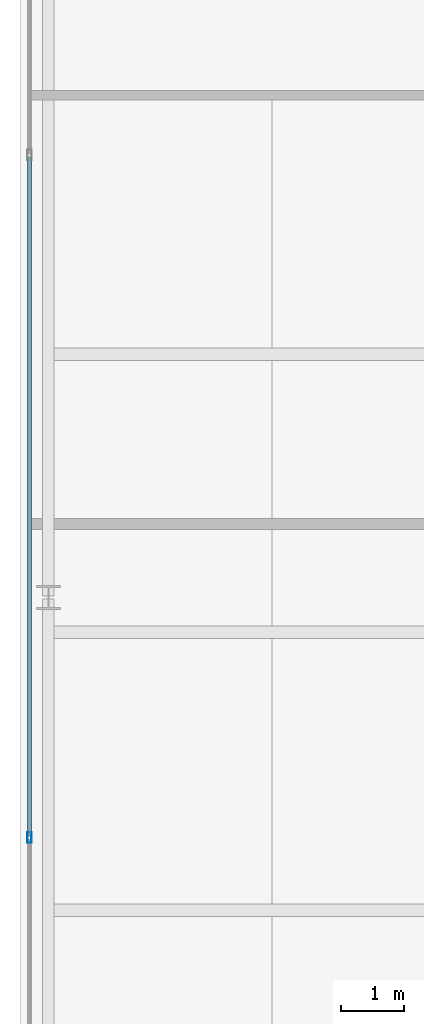
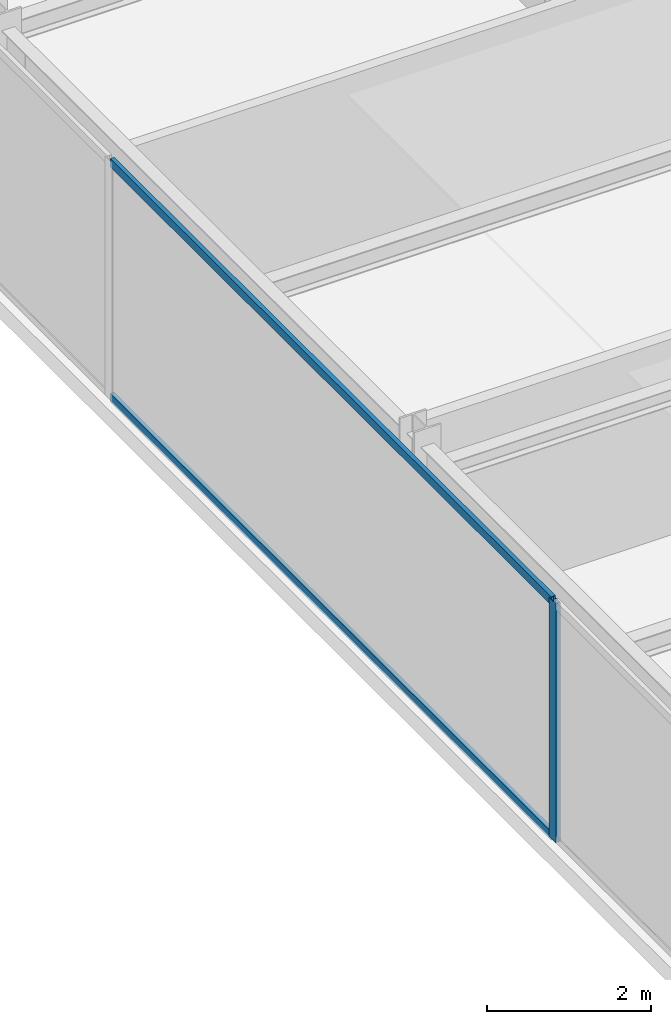
# One storey, part 10 of 31: 3 members, 1 element without a shape of its own.
"""IFC4 building model written with IfcOpenShell, lengths in metres."""

from ifc_helpers import new_model, si_unit, direction, frame, origin, origin_2d, place, context, subcontext, project, spatial, hollow_rectangle, extrude, source, transform, mapped, material, layer, layer_set, material_profile, profile_set, type_object, type_shapes, element, aggregate, save


model = new_model("IFC4")

# Units and contexts
model_context = context("Model", 3, precision=1e-05, world=origin(), true_north=direction((0.0, 1.0)))
body_context = subcontext(model_context, "Body", "Model", "MODEL_VIEW")
ifc_project = project(units=[si_unit("LENGTHUNIT", "METRE"), si_unit("AREAUNIT", "SQUARE_METRE"), si_unit("VOLUMEUNIT", "CUBIC_METRE"), si_unit("PLANEANGLEUNIT", "RADIAN"), si_unit("MASSUNIT", "GRAM", prefix="KILO")], contexts=[model_context])

# Site, building, storey
site_placement = place(None, origin())
site = spatial("IfcSite", under=ifc_project, at=site_placement, CompositionType="ELEMENT")
building_placement = place(site_placement, origin())
building = spatial("IfcBuilding", under=site, at=building_placement, Name="Varnel Quay Broadcast Tower", CompositionType="ELEMENT")
storey_placement = place(building_placement, frame((0.0, 0.0, 157.199951171875)))
storey = spatial("IfcBuildingStorey", under=building, at=storey_placement, Name="L38", CompositionType="ELEMENT", Elevation=157.199951171875)

# Curtain wall, members
ifc_material = material(Name="Anodised Bronze Aluminium 6063-T6", Category="aluminium")
ifc_layer = layer(ifc_material, 0.18994140625, Name="Anodised Bronze Aluminium 6063-T6")
ifc_layer_set = layer_set([ifc_layer], Name="Anodised Bronze Aluminium 6063-T6")
curtain_wall_type = type_object("IfcCurtainWallType", Name="CW_UpperTower", PredefinedType="NOTDEFINED", material=ifc_layer_set)
curtain_wall_placement = place(storey_placement, origin())
curtain_wall = element("IfcCurtainWall", 1, at=curtain_wall_placement, inside=storey, type_object=curtain_wall_type, Name="L38 West Unitised Curtain Wall", PredefinedType="NOTDEFINED")
ifc_material_profile_1 = material_profile(ifc_material, hollow_rectangle(XDim=0.06494140625, YDim=0.1650390625, WallThickness=0.00341796875, at=origin_2d()), Name="ALU65X165X3.5")
ifc_profile_set_1 = profile_set([ifc_material_profile_1], Name="Anodised Bronze Aluminium 6063-T6")
member_type_1 = type_object("IfcMemberType", Name="Mull_CWS-03", PredefinedType="MULLION", material=ifc_profile_set_1)
shared_shape_1 = source(origin(), body_context, "Body", "SweptSolid", [
    extrude(hollow_rectangle(XDim=0.06494140625, YDim=0.1650390625, WallThickness=0.00341796875, at=origin_2d()), origin(), (0.0, 0.0, 1.0), 3.550048828125),
])
type_shapes(member_type_1, [shared_shape_1])
member_1_placement = place(storey_placement, frame((7.14990234375, 21.60009765625, 0.0), z_axis=(0.0, 0.0, 1.0), x_axis=(-1.0, 0.0, 0.0)))
member_1 = element("IfcMember", 2, at=member_1_placement, type_object=member_type_1, Name="CWS-03 mullion 2", PredefinedType="MULLION", context=body_context, shape_type="MappedRepresentation", body=[
    mapped(shared_shape_1, transform((0.0, 0.0, 0.0), x_axis=(1.0, 0.0, 0.0), y_axis=(0.0, 1.0, 0.0), z_axis=(0.0, 0.0, 1.0), scale=1.0)),
])
ifc_material_profile_2 = material_profile(ifc_material, hollow_rectangle(XDim=0.06005859375, YDim=0.125, WallThickness=0.0029296875, at=origin_2d()), Name="ALU60X125X3")
ifc_profile_set_2 = profile_set([ifc_material_profile_2], Name="Anodised Bronze Aluminium 6063-T6")
member_type_2 = type_object("IfcMemberType", Name="Tran_CWS-03", PredefinedType="USERDEFINED", material=ifc_profile_set_2)
shared_shape_2 = source(origin(), body_context, "Body", "SweptSolid", [
    extrude(hollow_rectangle(XDim=0.06005859375, YDim=0.125, WallThickness=0.0029296875, at=origin_2d()), origin(), (0.0, 0.0, 1.0), 10.73486328125),
])
type_shapes(member_type_2, [shared_shape_2])
member_2_placement = place(storey_placement, frame((7.14990234375, 21.632568359375, 0.030029296875), z_axis=(0.0, 1.0, 0.0), x_axis=(-1.0, 0.0, 0.0)))
member_2 = element("IfcMember", 3, at=member_2_placement, type_object=member_type_2, Name="CWS-03 transom 2.1", ObjectType="TRANSOM", PredefinedType="USERDEFINED", context=body_context, shape_type="MappedRepresentation", body=[
    mapped(shared_shape_2, transform((0.0, 0.0, 0.0), x_axis=(1.0, 0.0, 0.0), y_axis=(0.0, 1.0, 0.0), z_axis=(0.0, 0.0, 1.0), scale=1.0)),
])
member_3_placement = place(storey_placement, frame((7.14990234375, 21.632568359375, 3.52001953125), z_axis=(0.0, 1.0, 0.0), x_axis=(-1.0, 0.0, 0.0)))
member_3 = element("IfcMember", 4, at=member_3_placement, type_object=member_type_2, Name="CWS-03 transom 2.2", ObjectType="TRANSOM", PredefinedType="USERDEFINED", context=body_context, shape_type="MappedRepresentation", body=[
    mapped(shared_shape_2, transform((0.0, 0.0, 0.0), x_axis=(1.0, 0.0, 0.0), y_axis=(0.0, 1.0, 0.0), z_axis=(0.0, 0.0, 1.0), scale=1.0)),
])
aggregate(curtain_wall, [member_1, member_2, member_3])

save(model, "model.ifc")
